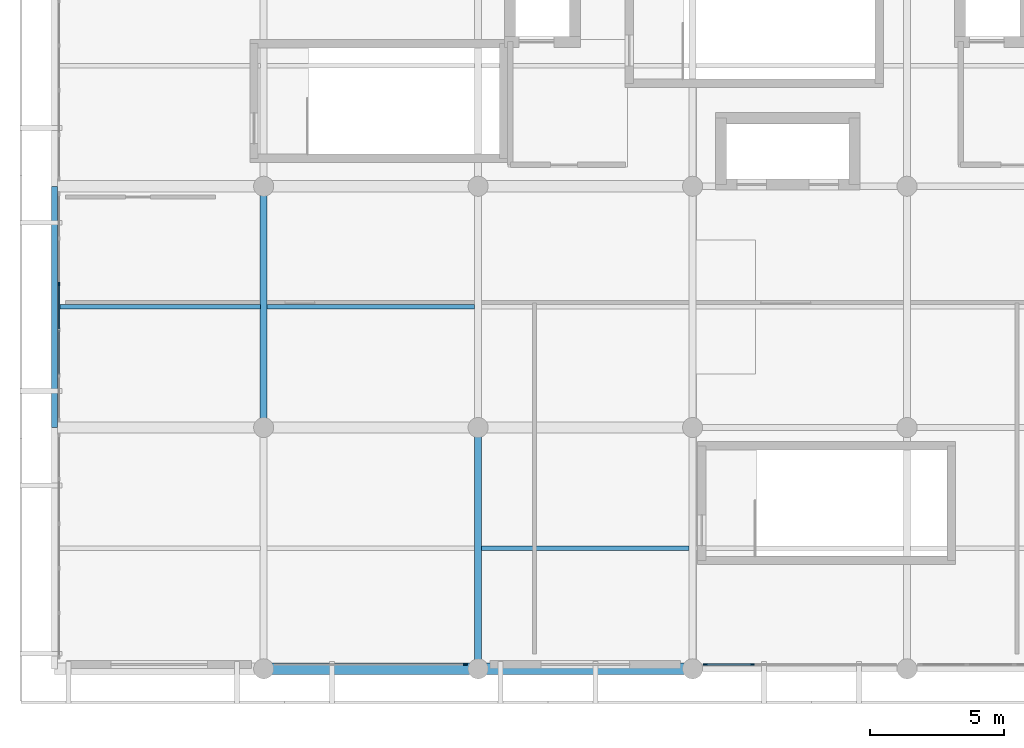
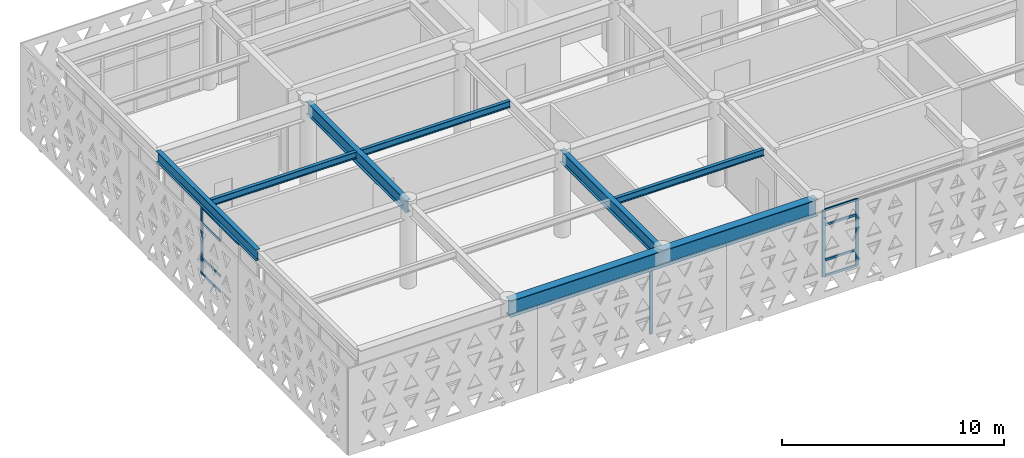
# One storey, part 3 of 26: 13 members, 7 beams, 3 elements without a shape of their own.
"""IFC4 building model written with IfcOpenShell, lengths in metres."""

from ifc_helpers import new_model, si_unit, direction, frame, origin, origin_2d, place, context, subcontext, project, spatial, rectangle, i_section, extrude, material, layer, layer_set, material_profile, profile_set, type_object, element, aggregate, save


model = new_model("IFC4")

# Units and contexts
model_context = context("Model", 3, precision=1e-05, world=origin(), true_north=direction((0.0, 1.0)))
body_context = subcontext(model_context, "Body", "Model", "MODEL_VIEW")
ifc_project = project(units=[si_unit("LENGTHUNIT", "METRE"), si_unit("AREAUNIT", "SQUARE_METRE"), si_unit("VOLUMEUNIT", "CUBIC_METRE"), si_unit("PLANEANGLEUNIT", "RADIAN"), si_unit("MASSUNIT", "GRAM", prefix="KILO")], contexts=[model_context])

# Site, building, storey
site_placement = place(None, origin())
site = spatial("IfcSite", under=ifc_project, at=site_placement, CompositionType="ELEMENT")
building_placement = place(site_placement, origin())
building = spatial("IfcBuilding", under=site, at=building_placement, Name="Tlacozan Convention Centre", CompositionType="ELEMENT")
storey_placement = place(building_placement, frame((0.0, 0.0, 21.0)))
storey = spatial("IfcBuildingStorey", under=building, at=storey_placement, Name="L04", CompositionType="ELEMENT", Elevation=21.0)

# Curtain wall, members
ifc_material_1 = material(Name="Dark Bronze Anodised Aluminium", Category="aluminium")
ifc_layer_1 = layer(ifc_material_1, 0.159912109375)
ifc_layer_set_1 = layer_set([ifc_layer_1], Name="Dark Bronze Anodised Aluminium")
curtain_wall_type_1 = type_object("IfcCurtainWallType", Name="Unitised Congress Gable End CW06", PredefinedType="NOTDEFINED", material=ifc_layer_set_1)
curtain_wall_1_placement = place(storey_placement, origin())
curtain_wall_1 = element("IfcCurtainWall", 1, at=curtain_wall_1_placement, inside=storey, type_object=curtain_wall_type_1, Name="L04 CW-06 Run 139", PredefinedType="NOTDEFINED")
ifc_material_profile_1 = material_profile(ifc_material_1, rectangle(XDim=0.06005859375, YDim=0.139892578125, at=origin_2d()), Name="ALU 60x140")
ifc_profile_set_1 = profile_set([ifc_material_profile_1], Name="Dark Bronze Anodised Aluminium")
member_type_1 = type_object("IfcMemberType", Name="Curtain Wall Light Mullion 60x140", PredefinedType="MULLION", material=ifc_profile_set_1)
member_1_placement = place(storey_placement, frame((0.360107421875, 14.35009765625, 0.0), z_axis=(0.0, 0.0, 1.0), x_axis=(-1.0, 0.0, 0.0)))
member_1 = element("IfcMember", 2, at=member_1_placement, type_object=member_type_1, Name="CW-06 mullion 4", PredefinedType="MULLION", context=body_context, shape_type="SweptSolid", body=[
    extrude(rectangle(XDim=0.06005859375, YDim=0.139892578125, at=origin_2d()), origin(), (0.0, 0.0, 1.0), 3.679931640625),
])
ifc_material_profile_2 = material_profile(ifc_material_1, rectangle(XDim=0.06005859375, YDim=0.110107421875, at=origin_2d()), Name="ALU 60x110")
ifc_profile_set_2 = profile_set([ifc_material_profile_2], Name="Dark Bronze Anodised Aluminium")
member_type_2 = type_object("IfcMemberType", Name="Curtain Wall Light Transom 60x110", PredefinedType="USERDEFINED", material=ifc_profile_set_2)
member_2_placement = place(storey_placement, frame((0.360107421875, 10.97998046875, 3.64990234375), z_axis=(0.0, 1.0, 0.0), x_axis=(-1.0, 0.0, 0.0)))
member_2 = element("IfcMember", 3, at=member_2_placement, type_object=member_type_2, Name="CW-06 transom 2.4", ObjectType="TRANSOM", PredefinedType="USERDEFINED", context=body_context, shape_type="SweptSolid", body=[
    extrude(rectangle(XDim=0.06005859375, YDim=0.110107421875, at=origin_2d()), origin(), (0.0, 0.0, 1.0), 1.64013671875),
])
member_3_placement = place(storey_placement, frame((0.360107421875, 12.679931640625, 0.030029296875), z_axis=(0.0, 1.0, 0.0), x_axis=(-1.0, 0.0, 0.0)))
member_3 = element("IfcMember", 4, at=member_3_placement, type_object=member_type_2, Name="CW-06 transom 3.1", ObjectType="TRANSOM", PredefinedType="USERDEFINED", context=body_context, shape_type="SweptSolid", body=[
    extrude(rectangle(XDim=0.06005859375, YDim=0.110107421875, at=origin_2d()), origin(), (0.0, 0.0, 1.0), 1.64013671875),
])
member_4_placement = place(storey_placement, frame((0.360107421875, 12.679931640625, 0.89990234375), z_axis=(0.0, 1.0, 0.0), x_axis=(-1.0, 0.0, 0.0)))
member_4 = element("IfcMember", 5, at=member_4_placement, type_object=member_type_2, Name="CW-06 transom 3.2", ObjectType="TRANSOM", PredefinedType="USERDEFINED", context=body_context, shape_type="SweptSolid", body=[
    extrude(rectangle(XDim=0.06005859375, YDim=0.110107421875, at=origin_2d()), origin(), (0.0, 0.0, 1.0), 1.64013671875),
])
member_5_placement = place(storey_placement, frame((0.360107421875, 12.679931640625, 2.830078125), z_axis=(0.0, 1.0, 0.0), x_axis=(-1.0, 0.0, 0.0)))
member_5 = element("IfcMember", 6, at=member_5_placement, type_object=member_type_2, Name="CW-06 transom 3.3", ObjectType="TRANSOM", PredefinedType="USERDEFINED", context=body_context, shape_type="SweptSolid", body=[
    extrude(rectangle(XDim=0.06005859375, YDim=0.110107421875, at=origin_2d()), origin(), (0.0, 0.0, 1.0), 1.64013671875),
])
member_6_placement = place(storey_placement, frame((0.360107421875, 12.679931640625, 3.64990234375), z_axis=(0.0, 1.0, 0.0), x_axis=(-1.0, 0.0, 0.0)))
member_6 = element("IfcMember", 7, at=member_6_placement, type_object=member_type_2, Name="CW-06 transom 3.4", ObjectType="TRANSOM", PredefinedType="USERDEFINED", context=body_context, shape_type="SweptSolid", body=[
    extrude(rectangle(XDim=0.06005859375, YDim=0.110107421875, at=origin_2d()), origin(), (0.0, 0.0, 1.0), 1.64013671875),
])
aggregate(curtain_wall_1, [member_1, member_2, member_3, member_4, member_5, member_6])

# Curtain wall, member
ifc_layer_2 = layer(ifc_material_1, 0.159912109375)
ifc_layer_set_2 = layer_set([ifc_layer_2], Name="Dark Bronze Anodised Aluminium")
curtain_wall_type_2 = type_object("IfcCurtainWallType", Name="Unitised Congress L04 South CW05", PredefinedType="NOTDEFINED", material=ifc_layer_set_2)
curtain_wall_2_placement = place(storey_placement, origin())
curtain_wall_2 = element("IfcCurtainWall", 8, at=curtain_wall_2_placement, inside=storey, type_object=curtain_wall_type_2, Name="L04 CW-05 Run 124", PredefinedType="NOTDEFINED")
ifc_material_profile_3 = material_profile(ifc_material_1, rectangle(XDim=0.06494140625, YDim=0.159912109375, at=origin_2d()), Name="ALU 65x160")
ifc_profile_set_3 = profile_set([ifc_material_profile_3], Name="Dark Bronze Anodised Aluminium")
member_type_3 = type_object("IfcMemberType", Name="Curtain Wall Mullion 65x160", PredefinedType="MULLION", material=ifc_profile_set_3)
member_7_placement = place(storey_placement, frame((15.517578125, 0.159912109375, 0.0), z_axis=(0.0, 0.0, 1.0), x_axis=(0.0, 1.0, 0.0)))
member_7 = element("IfcMember", 9, at=member_7_placement, type_object=member_type_3, Name="CW-05 mullion 5", PredefinedType="MULLION", context=body_context, shape_type="SweptSolid", body=[
    extrude(rectangle(XDim=0.06494140625, YDim=0.159912109375, at=origin_2d()), origin(), (0.0, 0.0, 1.0), 3.679931640625),
])
aggregate(curtain_wall_2, [member_7])

# Curtain wall, members
curtain_wall_3_placement = place(storey_placement, origin())
curtain_wall_3 = element("IfcCurtainWall", 10, at=curtain_wall_3_placement, inside=storey, type_object=curtain_wall_type_2, Name="L04 CW-05 Run 125", PredefinedType="NOTDEFINED")
member_8_placement = place(storey_placement, frame((24.482421875, 0.159912109375, 0.0), z_axis=(0.0, 0.0, 1.0), x_axis=(0.0, 1.0, 0.0)))
member_8 = element("IfcMember", 11, at=member_8_placement, type_object=member_type_3, Name="CW-05 mullion 1", PredefinedType="MULLION", context=body_context, shape_type="SweptSolid", body=[
    extrude(rectangle(XDim=0.06494140625, YDim=0.159912109375, at=origin_2d()), origin(), (0.0, 0.0, 1.0), 3.679931640625),
])
member_9_placement = place(storey_placement, frame((26.22509765625, 0.159912109375, 0.0), z_axis=(0.0, 0.0, 1.0), x_axis=(0.0, 1.0, 0.0)))
member_9 = element("IfcMember", 12, at=member_9_placement, type_object=member_type_3, Name="CW-05 mullion 2", PredefinedType="MULLION", context=body_context, shape_type="SweptSolid", body=[
    extrude(rectangle(XDim=0.06494140625, YDim=0.159912109375, at=origin_2d()), origin(), (0.0, 0.0, 1.0), 3.679931640625),
])
ifc_material_profile_4 = material_profile(ifc_material_1, rectangle(XDim=0.06494140625, YDim=0.125, at=origin_2d()), Name="ALU 65x125")
ifc_profile_set_4 = profile_set([ifc_material_profile_4], Name="Dark Bronze Anodised Aluminium")
member_type_4 = type_object("IfcMemberType", Name="Curtain Wall Transom 65x125", PredefinedType="USERDEFINED", material=ifc_profile_set_4)
member_10_placement = place(storey_placement, frame((24.514892578125, 0.159912109375, 0.032470703125), z_axis=(1.0, 0.0, 0.0), x_axis=(0.0, 1.0, 0.0)))
member_10 = element("IfcMember", 13, at=member_10_placement, type_object=member_type_4, Name="CW-05 transom 1.1", ObjectType="TRANSOM", PredefinedType="USERDEFINED", context=body_context, shape_type="SweptSolid", body=[
    extrude(rectangle(XDim=0.06494140625, YDim=0.125, at=origin_2d()), origin(), (0.0, 0.0, 1.0), 1.677490234375),
])
member_11_placement = place(storey_placement, frame((24.514892578125, 0.159912109375, 0.89990234375), z_axis=(1.0, 0.0, 0.0), x_axis=(0.0, 1.0, 0.0)))
member_11 = element("IfcMember", 14, at=member_11_placement, type_object=member_type_4, Name="CW-05 transom 1.2", ObjectType="TRANSOM", PredefinedType="USERDEFINED", context=body_context, shape_type="SweptSolid", body=[
    extrude(rectangle(XDim=0.06494140625, YDim=0.125, at=origin_2d()), origin(), (0.0, 0.0, 1.0), 1.677490234375),
])
member_12_placement = place(storey_placement, frame((24.514892578125, 0.159912109375, 2.830078125), z_axis=(1.0, 0.0, 0.0), x_axis=(0.0, 1.0, 0.0)))
member_12 = element("IfcMember", 15, at=member_12_placement, type_object=member_type_4, Name="CW-05 transom 1.3", ObjectType="TRANSOM", PredefinedType="USERDEFINED", context=body_context, shape_type="SweptSolid", body=[
    extrude(rectangle(XDim=0.06494140625, YDim=0.125, at=origin_2d()), origin(), (0.0, 0.0, 1.0), 1.677490234375),
])
member_13_placement = place(storey_placement, frame((24.514892578125, 0.159912109375, 3.6474609375), z_axis=(1.0, 0.0, 0.0), x_axis=(0.0, 1.0, 0.0)))
member_13 = element("IfcMember", 16, at=member_13_placement, type_object=member_type_4, Name="CW-05 transom 1.4", ObjectType="TRANSOM", PredefinedType="USERDEFINED", context=body_context, shape_type="SweptSolid", body=[
    extrude(rectangle(XDim=0.06494140625, YDim=0.125, at=origin_2d()), origin(), (0.0, 0.0, 1.0), 1.677490234375),
])
aggregate(curtain_wall_3, [member_8, member_9, member_10, member_11, member_12, member_13])

# Beams
ifc_material_2 = material(Name="Steel ASTM A992 Grade 50", Category="steel")
ifc_material_profile_5 = material_profile(ifc_material_2, i_section(OverallWidth=0.256103515625, OverallDepth=0.693115234375, WebThickness=0.014404296875, FlangeThickness=0.023681640625, FilletRadius=0.014892578125, at=origin_2d()), Name="IR 686x170.0")
ifc_profile_set_5 = profile_set([ifc_material_profile_5], Name="Steel ASTM A992 Grade 50")
beam_type_1 = type_object("IfcBeamType", Name="Girder Steel IR 686x170", PredefinedType="BEAM", material=ifc_profile_set_5)
for number, where, z_axis, x_axis, name in (
    (17, (8.0, 9.0, 4.29345703125), (0.0, 1.0, 0.0), (-1.0, 0.0, 0.0), "L04 Girder Steel IR 686x170 651"),
    (18, (16.0, 0.0, 4.29345703125), (0.0, 1.0, 0.0), (-1.0, 0.0, 0.0), "L04 Girder Steel IR 686x170 653"),
):
    element("IfcBeam", number, at=place(storey_placement, frame(where, z_axis=z_axis, x_axis=x_axis)), inside=storey, type_object=beam_type_1, Name=name, PredefinedType="BEAM", context=body_context, shape_type="SweptSolid", body=[
        extrude(i_section(OverallWidth=0.256103515625, OverallDepth=0.693115234375, WebThickness=0.014404296875, FlangeThickness=0.023681640625, FilletRadius=0.014892578125, at=origin_2d()), origin(), (0.0, 0.0, 1.0), 9.0),
    ])
ifc_material_profile_6 = material_profile(ifc_material_2, i_section(OverallWidth=0.22900390625, OverallDepth=0.612060546875, WebThickness=0.011962890625, FlangeThickness=0.01953125, FilletRadius=0.012939453125, at=origin_2d()), Name="IR 610x125.0")
ifc_profile_set_6 = profile_set([ifc_material_profile_6], Name="Steel ASTM A992 Grade 50")
beam_type_2 = type_object("IfcBeamType", Name="Perimeter Spandrel IR 610x125", PredefinedType="SPANDREL", material=ifc_profile_set_6)
beam_1_placement = place(storey_placement, frame((0.199951171875, 9.0, 4.333984375), z_axis=(0.0, 1.0, 0.0), x_axis=(-1.0, 0.0, 0.0)))
element("IfcBeam", 19, at=beam_1_placement, inside=storey, type_object=beam_type_2, Name="L04 Perimeter Spandrel IR 610x125 687", PredefinedType="SPANDREL", context=body_context, shape_type="SweptSolid", body=[
    extrude(i_section(OverallWidth=0.22900390625, OverallDepth=0.612060546875, WebThickness=0.011962890625, FlangeThickness=0.01953125, FilletRadius=0.012939453125, at=origin_2d()), origin(), (0.0, 0.0, 1.0), 9.0),
])
ifc_material_profile_7 = material_profile(ifc_material_2, i_section(OverallWidth=0.173095703125, OverallDepth=0.364013671875, WebThickness=0.009033203125, FlangeThickness=0.015625, FilletRadius=0.010009765625, at=origin_2d()), Name="IR 356x67.1")
ifc_profile_set_7 = profile_set([ifc_material_profile_7], Name="Steel ASTM A992 Grade 50")
beam_type_3 = type_object("IfcBeamType", Name="Secondary Joist IR 356x67.1", PredefinedType="JOIST", material=ifc_profile_set_7)
beam_2_placement = place(storey_placement, frame((0.325927734375, 13.5, 4.4580078125), z_axis=(1.0, 0.0, 0.0), x_axis=(0.0, 1.0, 0.0)))
element("IfcBeam", 20, at=beam_2_placement, inside=storey, type_object=beam_type_3, Name="L04 Secondary Joist IR 356x67.1 734", PredefinedType="JOIST", context=body_context, shape_type="SweptSolid", body=[
    extrude(i_section(OverallWidth=0.173095703125, OverallDepth=0.364013671875, WebThickness=0.009033203125, FlangeThickness=0.015625, FilletRadius=0.010009765625, at=origin_2d()), origin(), (0.0, 0.0, 1.0), 7.548095703125),
])
for number, where, z_axis, x_axis, name in (
    (21, (8.1259765625, 13.5, 4.4580078125), (1.0, 0.0, 0.0), (0.0, 1.0, 0.0), "L04 Secondary Joist IR 356x67.1 737"),
    (22, (16.1259765625, 4.5, 4.4580078125), (1.0, 0.0, 0.0), (0.0, 1.0, 0.0), "L04 Secondary Joist IR 356x67.1 739"),
):
    element("IfcBeam", number, at=place(storey_placement, frame(where, z_axis=z_axis, x_axis=x_axis)), inside=storey, type_object=beam_type_3, Name=name, PredefinedType="JOIST", context=body_context, shape_type="SweptSolid", body=[
        extrude(i_section(OverallWidth=0.173095703125, OverallDepth=0.364013671875, WebThickness=0.009033203125, FlangeThickness=0.015625, FilletRadius=0.010009765625, at=origin_2d()), origin(), (0.0, 0.0, 1.0), 7.748046875),
    ])
ifc_material_profile_8 = material_profile(ifc_material_2, i_section(OverallWidth=0.41796875, OverallDepth=0.912109375, WebThickness=0.019287109375, FlangeThickness=0.031982421875, FilletRadius=0.02001953125, at=origin_2d()), Name="IR 914x342.0")
ifc_profile_set_8 = profile_set([ifc_material_profile_8], Name="Steel ASTM A992 Grade 50")
beam_type_4 = type_object("IfcBeamType", Name="Transfer Girder IR 914x342", PredefinedType="BEAM", material=ifc_profile_set_8)
beam_3_placement = place(storey_placement, frame((24.0, 0.0, 4.18408203125), z_axis=(-1.0, 0.0, 0.0), x_axis=(0.0, -1.0, 0.0)))
element("IfcBeam", 23, at=beam_3_placement, inside=storey, type_object=beam_type_4, Name="L04 Transfer Girder IR 914x342 689", PredefinedType="BEAM", context=body_context, shape_type="SweptSolid", body=[
    extrude(i_section(OverallWidth=0.41796875, OverallDepth=0.912109375, WebThickness=0.019287109375, FlangeThickness=0.031982421875, FilletRadius=0.02001953125, at=origin_2d()), origin(), (0.0, 0.0, 1.0), 16.0),
])

save(model, "model.ifc")
